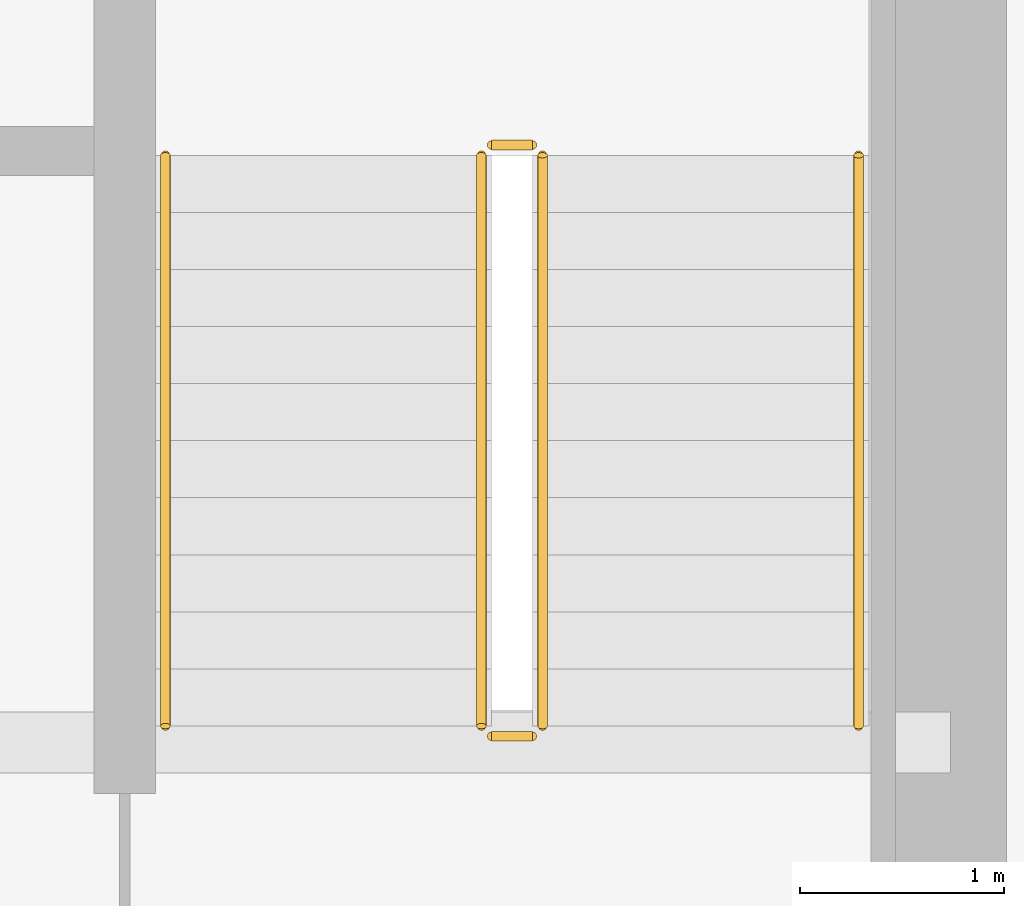
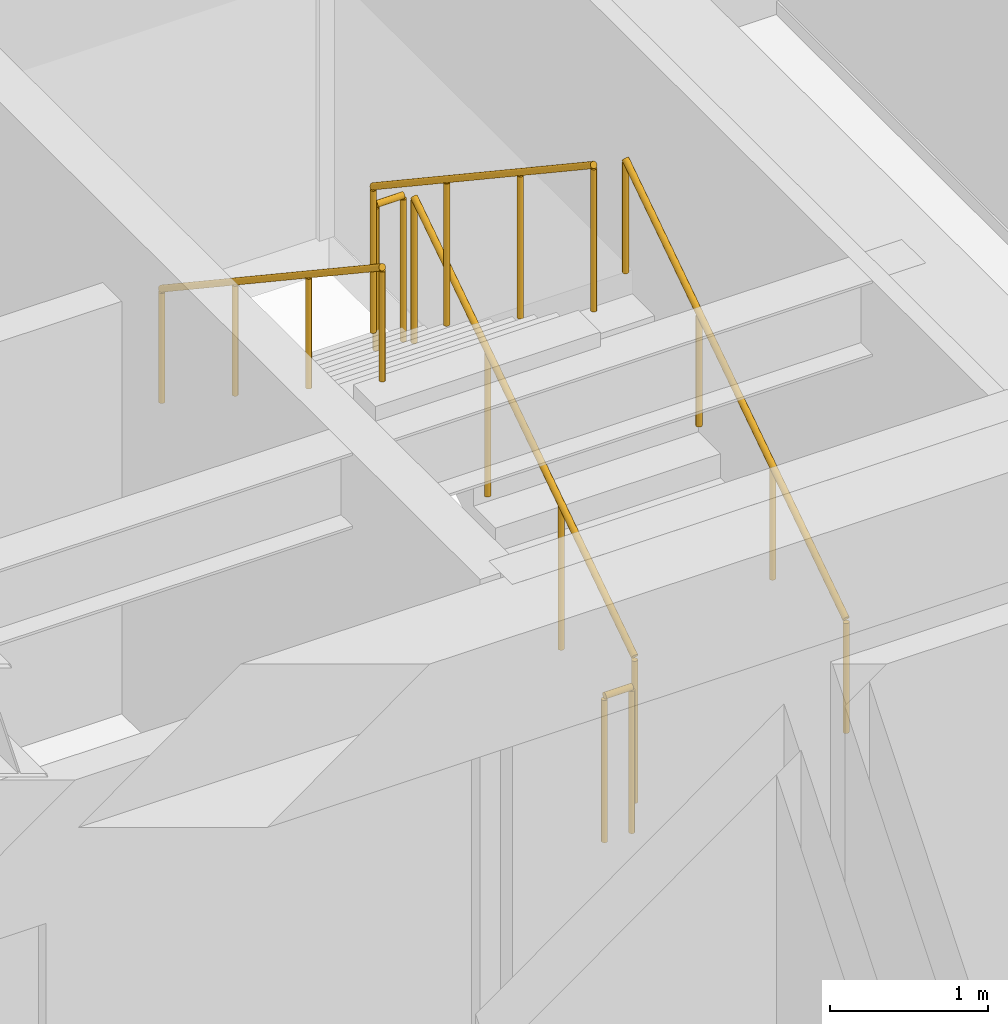
# One storey, part 33 of 33: 6 railings.
"""IFC4 building model written with IfcOpenShell, lengths in metres."""

from ifc_helpers import new_model, si_unit, direction, frame, origin, origin_2d, place, context, subcontext, project, spatial, circle, extrude, source, transform, mapped, material, type_object, type_shapes, element, save


model = new_model("IFC4")

# Units and contexts
model_context = context("Model", 3, precision=1e-05, world=origin(), true_north=direction((0.0, 1.0)))
body_context = subcontext(model_context, "Body", "Model", "MODEL_VIEW")
ifc_project = project(units=[si_unit("LENGTHUNIT", "METRE"), si_unit("AREAUNIT", "SQUARE_METRE"), si_unit("VOLUMEUNIT", "CUBIC_METRE"), si_unit("PLANEANGLEUNIT", "RADIAN"), si_unit("MASSUNIT", "GRAM", prefix="KILO")], contexts=[model_context])

# Site, building, storey
site_placement = place(None, origin())
site = spatial("IfcSite", under=ifc_project, at=site_placement, CompositionType="ELEMENT")
building_placement = place(site_placement, origin())
building = spatial("IfcBuilding", under=site, at=building_placement, Name="Haelvirn Gate Laboratories", CompositionType="ELEMENT")
storey_placement = place(building_placement, frame((0.0, 0.0, 267.0)))
storey = spatial("IfcBuildingStorey", under=building, at=storey_placement, Name="L64", CompositionType="ELEMENT", Elevation=267.0)

# Railings
ifc_material_1 = material(Name="Galvanised steel SM355 & stainless top rail", Category="steel")
railing_type_1 = type_object("IfcRailingType", Name="RL-GUARD-1150", PredefinedType="GUARDRAIL", material=ifc_material_1)
shared_shape_1 = source(origin(), body_context, "Body", "SweptSolid", [
    extrude(circle(Radius=0.02392578125, at=origin_2d()), frame((0.0, 0.0, 1.1259765625), z_axis=(0.0, -0.832452072856, 0.554097055034), x_axis=(1.0, 0.0, 0.0)), (0.0, 0.0, 1.0), 3.363525390625),
    extrude(circle(Radius=0.02099609375, at=origin_2d()), origin(), (0.0, 0.0, 1.0), 1.101806640625),
    extrude(circle(Radius=0.02099609375, at=origin_2d()), frame((0.0, -0.933349609375, 0.621337890625)), (0.0, 0.0, 1.0), 1.101806640625),
    extrude(circle(Radius=0.02099609375, at=origin_2d()), frame((0.0, -1.86669921875, 1.242431640625)), (0.0, 0.0, 1.0), 1.101806640625),
    extrude(circle(Radius=0.02099609375, at=origin_2d()), frame((0.0, -2.800048828125, 1.86376953125)), (0.0, 0.0, 1.0), 1.101806640625),
])
railing_1_placement = place(storey_placement, frame((65.10009765625, 29.5, 2.236328125)))
element("IfcRailing", 1, at=railing_1_placement, inside=storey, type_object=railing_type_1, Name="L64 ST2 stair guard 3", PredefinedType="GUARDRAIL", context=body_context, shape_type="MappedRepresentation", body=[
    mapped(shared_shape_1, transform((0.0, 0.0, 0.0), scale=1.0)),
])
ifc_material_2 = material(Name="Brushed stainless steel 316L", Category="steel")
railing_type_2 = type_object("IfcRailingType", Name="RL-HAND-920", PredefinedType="HANDRAIL", material=ifc_material_2)
shared_shape_2 = source(origin(), body_context, "Body", "SweptSolid", [
    extrude(circle(Radius=0.02392578125, at=origin_2d()), frame((0.0, 0.0, 0.8759765625), z_axis=(0.0, -0.832452072856, 0.554097055034), x_axis=(1.0, 0.0, 0.0)), (0.0, 0.0, 1.0), 3.363525390625),
    extrude(circle(Radius=0.02099609375, at=origin_2d()), origin(), (0.0, 0.0, 1.0), 0.851806640625),
    extrude(circle(Radius=0.02099609375, at=origin_2d()), frame((0.0, -0.933349609375, 0.621337890625)), (0.0, 0.0, 1.0), 0.851806640625),
    extrude(circle(Radius=0.02099609375, at=origin_2d()), frame((0.0, -1.86669921875, 1.242431640625)), (0.0, 0.0, 1.0), 0.851806640625),
    extrude(circle(Radius=0.02099609375, at=origin_2d()), frame((0.0, -2.800048828125, 1.86376953125)), (0.0, 0.0, 1.0), 0.851806640625),
])
railing_2_placement = place(storey_placement, frame((63.550048828125, 29.5, 2.236328125)))
element("IfcRailing", 2, at=railing_2_placement, inside=storey, type_object=railing_type_2, Name="L64 ST2 stair handrail 2", PredefinedType="HANDRAIL", context=body_context, shape_type="MappedRepresentation", body=[
    mapped(shared_shape_2, transform((0.0, 0.0, 0.0), scale=1.0)),
])
shared_shape_3 = source(origin(), body_context, "Body", "SweptSolid", [
    extrude(circle(Radius=0.02392578125, at=origin_2d()), frame((0.0, 0.0, 1.1259765625), z_axis=(0.0, 0.832452072856, 0.554097055034), x_axis=(-1.0, 0.0, 0.0)), (0.0, 0.0, 1.0), 3.363525390625),
    extrude(circle(Radius=0.02099609375, at=origin_2d()), origin(), (0.0, 0.0, 1.0), 1.101806640625),
    extrude(circle(Radius=0.02099609375, at=origin_2d()), frame((0.0, 0.933349609375, 0.621337890625)), (0.0, 0.0, 1.0), 1.101806640625),
    extrude(circle(Radius=0.02099609375, at=origin_2d()), frame((0.0, 1.86669921875, 1.242431640625)), (0.0, 0.0, 1.0), 1.101806640625),
    extrude(circle(Radius=0.02099609375, at=origin_2d()), frame((0.0, 2.800048828125, 1.86376953125)), (0.0, 0.0, 1.0), 1.101806640625),
])
railing_3_placement = place(storey_placement, frame((65.39990234375, 26.699951171875, 0.186279296875)))
element("IfcRailing", 3, at=railing_3_placement, inside=storey, type_object=railing_type_1, Name="L64 ST2 stair guard 1", PredefinedType="GUARDRAIL", context=body_context, shape_type="MappedRepresentation", body=[
    mapped(shared_shape_3, transform((0.0, 0.0, 0.0), scale=1.0)),
])
shared_shape_4 = source(origin(), body_context, "Body", "SweptSolid", [
    extrude(circle(Radius=0.02392578125, at=origin_2d()), frame((0.0, 0.0, 0.8759765625), z_axis=(0.0, 0.832452072856, 0.554097055034), x_axis=(-1.0, 0.0, 0.0)), (0.0, 0.0, 1.0), 3.363525390625),
    extrude(circle(Radius=0.02099609375, at=origin_2d()), origin(), (0.0, 0.0, 1.0), 0.851806640625),
    extrude(circle(Radius=0.02099609375, at=origin_2d()), frame((0.0, 0.933349609375, 0.621337890625)), (0.0, 0.0, 1.0), 0.851806640625),
    extrude(circle(Radius=0.02099609375, at=origin_2d()), frame((0.0, 1.86669921875, 1.242431640625)), (0.0, 0.0, 1.0), 0.851806640625),
    extrude(circle(Radius=0.02099609375, at=origin_2d()), frame((0.0, 2.800048828125, 1.86376953125)), (0.0, 0.0, 1.0), 0.851806640625),
])
type_shapes(railing_type_2, [shared_shape_2, shared_shape_4])
railing_4_placement = place(storey_placement, frame((66.949951171875, 26.699951171875, 0.186279296875)))
element("IfcRailing", 4, at=railing_4_placement, inside=storey, type_object=railing_type_2, Name="L64 ST2 stair handrail 1", PredefinedType="HANDRAIL", context=body_context, shape_type="MappedRepresentation", body=[
    mapped(shared_shape_4, transform((0.0, 0.0, 0.0), scale=1.0)),
])
shared_shape_5 = source(origin(), body_context, "Body", "SweptSolid", [
    extrude(circle(Radius=0.02392578125, at=origin_2d()), frame((0.0, 0.0, 1.1259765625), z_axis=(-1.0, 0.0, 0.0), x_axis=(0.0, -1.0, 0.0)), (0.0, 0.0, 1.0), 0.2001953125),
    extrude(circle(Radius=0.02099609375, at=origin_2d()), origin(), (0.0, 0.0, 1.0), 1.101806640625),
    extrude(circle(Radius=0.02099609375, at=origin_2d()), frame((-0.2001953125, 0.0, 0.0)), (0.0, 0.0, 1.0), 1.101806640625),
])
type_shapes(railing_type_1, [shared_shape_1, shared_shape_3, shared_shape_5])
for number, where, name in (
    (5, (65.35009765625, 29.550048828125, 2.050048828125), "L64 ST2 stair guard 2"),
    (6, (65.35009765625, 26.64990234375, 0.0), "L64 ST2 stair guard 4"),
):
    element("IfcRailing", number, at=place(storey_placement, frame(where)), inside=storey, type_object=railing_type_1, Name=name, PredefinedType="GUARDRAIL", context=body_context, shape_type="MappedRepresentation", body=[
        mapped(shared_shape_5, transform((0.0, 0.0, 0.0), scale=1.0)),
    ])

save(model, "model.ifc")
